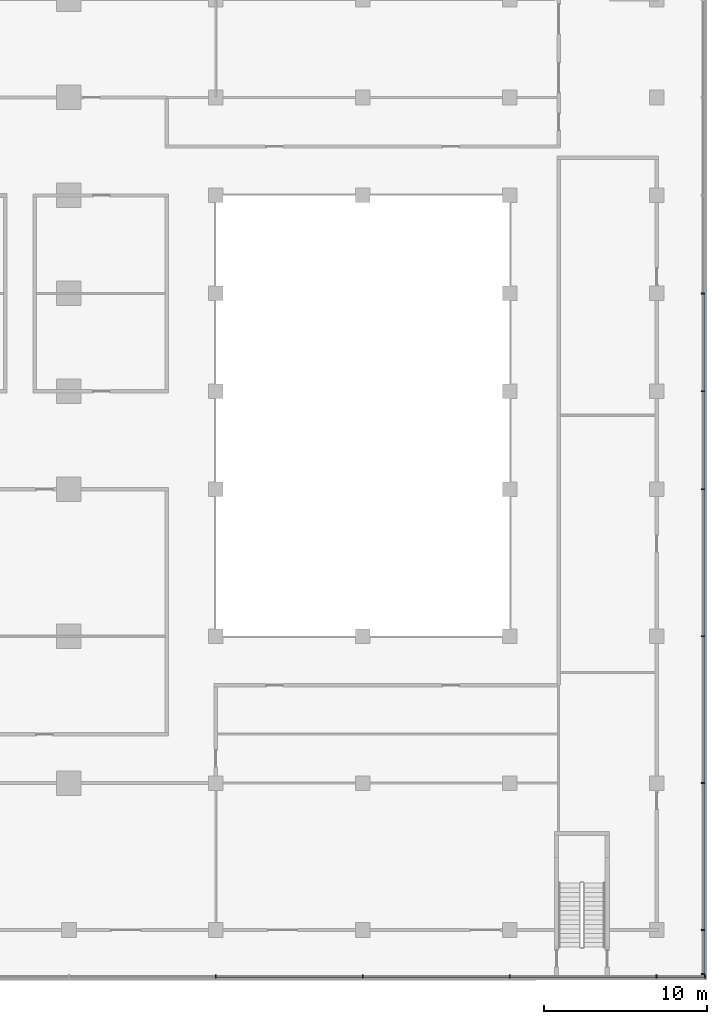
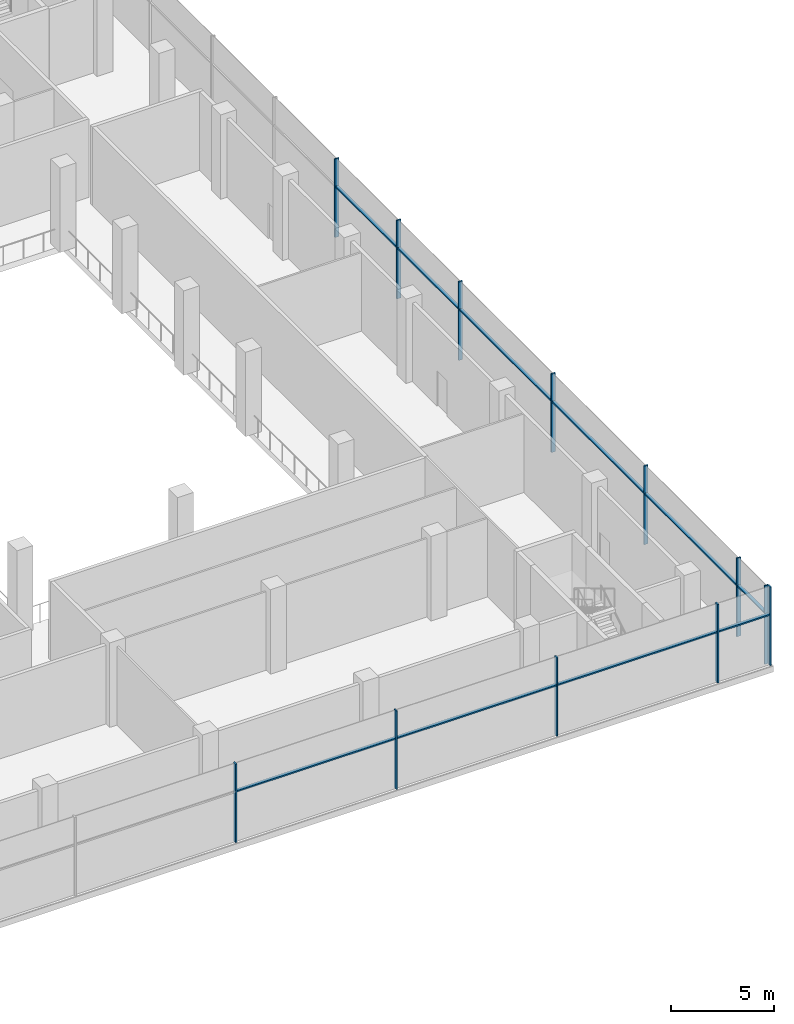
# One storey, part 5 of 22: 22 members, 2 elements without a shape of their own.
"""IFC4 building model written with IfcOpenShell, lengths in metres."""

from ifc_helpers import new_model, si_unit, direction, frame, origin, origin_2d, place, context, subcontext, project, spatial, rectangle, extrude, material, material_profile, profile_set, type_object, element, aggregate, save


model = new_model("IFC4")

# Units and contexts
model_context = context("Model", 3, precision=1e-05, world=origin(), true_north=direction((0.0, 1.0)))
body_context = subcontext(model_context, "Body", "Model", "MODEL_VIEW")
ifc_project = project(units=[si_unit("LENGTHUNIT", "METRE"), si_unit("AREAUNIT", "SQUARE_METRE"), si_unit("VOLUMEUNIT", "CUBIC_METRE"), si_unit("PLANEANGLEUNIT", "RADIAN"), si_unit("MASSUNIT", "GRAM", prefix="KILO")], contexts=[model_context])

# Site, building, storey
site_placement = place(None, origin())
site = spatial("IfcSite", under=ifc_project, at=site_placement, CompositionType="ELEMENT")
building_placement = place(site_placement, origin())
building = spatial("IfcBuilding", under=site, at=building_placement, Name="Finial Court Residences", CompositionType="ELEMENT")
storey_placement = place(building_placement, frame((0.0, 0.0, 18.5)))
storey = spatial("IfcBuildingStorey", under=building, at=storey_placement, Name="L03", CompositionType="ELEMENT", Elevation=18.5)

# Curtain wall, members
ifc_material = material(Name="Bronze anodised aluminium", Category="aluminium")
curtain_wall_type = type_object("IfcCurtainWallType", Name="Podium curtain wall", PredefinedType="NOTDEFINED", material=ifc_material)
curtain_wall_1_placement = place(storey_placement, origin())
curtain_wall_1 = element("IfcCurtainWall", 1, at=curtain_wall_1_placement, inside=storey, type_object=curtain_wall_type, Name="E-L03-CW-E2", PredefinedType="NOTDEFINED")
ifc_material_profile_1 = material_profile(ifc_material, rectangle(XDim=0.22509765625, YDim=0.080078125, at=origin_2d()), Name="CW5 mullion 80 x 225")
ifc_profile_set_1 = profile_set([ifc_material_profile_1], Name="Bronze anodised aluminium")
member_type_1 = type_object("IfcMemberType", Name="CW5 mullion 80 x 225", PredefinedType="MULLION", material=ifc_profile_set_1)
member_1_placement = place(storey_placement, frame((61.35009765625, -34.197509765625, 0.0), z_axis=(0.0, 0.0, 1.0), x_axis=(-1.0, 0.0, 0.0)))
member_1 = element("IfcMember", 2, at=member_1_placement, type_object=member_type_1, Name="CW5 mullion 1", PredefinedType="MULLION", context=body_context, shape_type="SweptSolid", body=[
    extrude(rectangle(XDim=0.22509765625, YDim=0.080078125, at=origin_2d()), origin(), (0.0, 0.0, 1.0), 4.64990234375),
])
member_2_placement = place(storey_placement, frame((61.35009765625, -31.5, 0.0), z_axis=(0.0, 0.0, 1.0), x_axis=(-1.0, 0.0, 0.0)))
member_2 = element("IfcMember", 3, at=member_2_placement, type_object=member_type_1, Name="CW5 mullion 2", PredefinedType="MULLION", context=body_context, shape_type="SweptSolid", body=[
    extrude(rectangle(XDim=0.22509765625, YDim=0.080078125, at=origin_2d()), origin(), (0.0, 0.0, 1.0), 4.64990234375),
])
member_3_placement = place(storey_placement, frame((61.35009765625, -22.5, 0.0), z_axis=(0.0, 0.0, 1.0), x_axis=(-1.0, 0.0, 0.0)))
member_3 = element("IfcMember", 4, at=member_3_placement, type_object=member_type_1, Name="CW5 mullion 3", PredefinedType="MULLION", context=body_context, shape_type="SweptSolid", body=[
    extrude(rectangle(XDim=0.22509765625, YDim=0.080078125, at=origin_2d()), origin(), (0.0, 0.0, 1.0), 4.64990234375),
])
member_4_placement = place(storey_placement, frame((61.35009765625, -13.5, 0.0), z_axis=(0.0, 0.0, 1.0), x_axis=(-1.0, 0.0, 0.0)))
member_4 = element("IfcMember", 5, at=member_4_placement, type_object=member_type_1, Name="CW5 mullion 4", PredefinedType="MULLION", context=body_context, shape_type="SweptSolid", body=[
    extrude(rectangle(XDim=0.22509765625, YDim=0.080078125, at=origin_2d()), origin(), (0.0, 0.0, 1.0), 4.64990234375),
])
member_5_placement = place(storey_placement, frame((61.35009765625, -4.5, 0.0), z_axis=(0.0, 0.0, 1.0), x_axis=(-1.0, 0.0, 0.0)))
member_5 = element("IfcMember", 6, at=member_5_placement, type_object=member_type_1, Name="CW5 mullion 5", PredefinedType="MULLION", context=body_context, shape_type="SweptSolid", body=[
    extrude(rectangle(XDim=0.22509765625, YDim=0.080078125, at=origin_2d()), origin(), (0.0, 0.0, 1.0), 4.64990234375),
])
member_6_placement = place(storey_placement, frame((61.35009765625, 1.5, 0.0), z_axis=(0.0, 0.0, 1.0), x_axis=(-1.0, 0.0, 0.0)))
member_6 = element("IfcMember", 7, at=member_6_placement, type_object=member_type_1, Name="CW5 mullion 6", PredefinedType="MULLION", context=body_context, shape_type="SweptSolid", body=[
    extrude(rectangle(XDim=0.22509765625, YDim=0.080078125, at=origin_2d()), origin(), (0.0, 0.0, 1.0), 4.64990234375),
])
member_7_placement = place(storey_placement, frame((61.35009765625, 7.5, 0.0), z_axis=(0.0, 0.0, 1.0), x_axis=(-1.0, 0.0, 0.0)))
member_7 = element("IfcMember", 8, at=member_7_placement, type_object=member_type_1, Name="CW5 mullion 7", PredefinedType="MULLION", context=body_context, shape_type="SweptSolid", body=[
    extrude(rectangle(XDim=0.22509765625, YDim=0.080078125, at=origin_2d()), origin(), (0.0, 0.0, 1.0), 4.64990234375),
])

curtain_wall_2_placement = place(storey_placement, origin())
curtain_wall_2 = element("IfcCurtainWall", 9, at=curtain_wall_2_placement, inside=storey, type_object=curtain_wall_type, Name="E-L03-CW-S3", PredefinedType="NOTDEFINED")
member_8_placement = place(storey_placement, frame((31.5, -34.35009765625, 0.0), z_axis=(0.0, 0.0, 1.0), x_axis=(0.0, 1.0, 0.0)))
member_8 = element("IfcMember", 10, at=member_8_placement, type_object=member_type_1, Name="CW5 mullion 11", PredefinedType="MULLION", context=body_context, shape_type="SweptSolid", body=[
    extrude(rectangle(XDim=0.22509765625, YDim=0.080078125, at=origin_2d()), origin(), (0.0, 0.0, 1.0), 4.64990234375),
])
member_9_placement = place(storey_placement, frame((40.5, -34.35009765625, 0.0), z_axis=(0.0, 0.0, 1.0), x_axis=(0.0, 1.0, 0.0)))
member_9 = element("IfcMember", 11, at=member_9_placement, type_object=member_type_1, Name="CW5 mullion 12", PredefinedType="MULLION", context=body_context, shape_type="SweptSolid", body=[
    extrude(rectangle(XDim=0.22509765625, YDim=0.080078125, at=origin_2d()), origin(), (0.0, 0.0, 1.0), 4.64990234375),
])
member_10_placement = place(storey_placement, frame((49.5, -34.35009765625, 0.0), z_axis=(0.0, 0.0, 1.0), x_axis=(0.0, 1.0, 0.0)))
member_10 = element("IfcMember", 12, at=member_10_placement, type_object=member_type_1, Name="CW5 mullion 13", PredefinedType="MULLION", context=body_context, shape_type="SweptSolid", body=[
    extrude(rectangle(XDim=0.22509765625, YDim=0.080078125, at=origin_2d()), origin(), (0.0, 0.0, 1.0), 4.64990234375),
])
member_11_placement = place(storey_placement, frame((58.5, -34.35009765625, 0.0), z_axis=(0.0, 0.0, 1.0), x_axis=(0.0, 1.0, 0.0)))
member_11 = element("IfcMember", 13, at=member_11_placement, type_object=member_type_1, Name="CW5 mullion 14", PredefinedType="MULLION", context=body_context, shape_type="SweptSolid", body=[
    extrude(rectangle(XDim=0.22509765625, YDim=0.080078125, at=origin_2d()), origin(), (0.0, 0.0, 1.0), 4.64990234375),
])
member_12_placement = place(storey_placement, frame((61.4599609375, -34.35009765625, 0.0), z_axis=(0.0, 0.0, 1.0), x_axis=(0.0, 1.0, 0.0)))
member_12 = element("IfcMember", 14, at=member_12_placement, type_object=member_type_1, Name="CW5 mullion 15", PredefinedType="MULLION", context=body_context, shape_type="SweptSolid", body=[
    extrude(rectangle(XDim=0.22509765625, YDim=0.080078125, at=origin_2d()), origin(), (0.0, 0.0, 1.0), 4.64990234375),
])

# Member
ifc_material_profile_2 = material_profile(ifc_material, rectangle(XDim=0.175048828125, YDim=0.080078125, at=origin_2d()), Name="CW5 transom 80 x 175")
ifc_profile_set_2 = profile_set([ifc_material_profile_2], Name="Bronze anodised aluminium")
member_type_2 = type_object("IfcMemberType", Name="CW5 transom 80 x 175", PredefinedType="USERDEFINED", material=ifc_profile_set_2)
member_13_placement = place(storey_placement, frame((61.35009765625, -34.157470703125, 3.0), z_axis=(0.0, 1.0, 0.0), x_axis=(-1.0, 0.0, 0.0)))
member_13 = element("IfcMember", 15, at=member_13_placement, type_object=member_type_2, Name="CW5 transom 1.1", ObjectType="TRANSOM", PredefinedType="USERDEFINED", context=body_context, shape_type="SweptSolid", body=[
    extrude(rectangle(XDim=0.175048828125, YDim=0.080078125, at=origin_2d()), origin(), (0.0, 0.0, 1.0), 2.617431640625),
])

member_14_placement = place(storey_placement, frame((61.35009765625, -31.4599609375, 3.0), z_axis=(0.0, 1.0, 0.0), x_axis=(-1.0, 0.0, 0.0)))
member_14 = element("IfcMember", 16, at=member_14_placement, type_object=member_type_2, Name="CW5 transom 2.1", ObjectType="TRANSOM", PredefinedType="USERDEFINED", context=body_context, shape_type="SweptSolid", body=[
    extrude(rectangle(XDim=0.175048828125, YDim=0.080078125, at=origin_2d()), origin(), (0.0, 0.0, 1.0), 8.919921875),
])

member_15_placement = place(storey_placement, frame((61.35009765625, -22.4599609375, 3.0), z_axis=(0.0, 1.0, 0.0), x_axis=(-1.0, 0.0, 0.0)))
member_15 = element("IfcMember", 17, at=member_15_placement, type_object=member_type_2, Name="CW5 transom 3.1", ObjectType="TRANSOM", PredefinedType="USERDEFINED", context=body_context, shape_type="SweptSolid", body=[
    extrude(rectangle(XDim=0.175048828125, YDim=0.080078125, at=origin_2d()), origin(), (0.0, 0.0, 1.0), 8.919921875),
])

member_16_placement = place(storey_placement, frame((61.35009765625, -13.4599609375, 3.0), z_axis=(0.0, 1.0, 0.0), x_axis=(-1.0, 0.0, 0.0)))
member_16 = element("IfcMember", 18, at=member_16_placement, type_object=member_type_2, Name="CW5 transom 4.1", ObjectType="TRANSOM", PredefinedType="USERDEFINED", context=body_context, shape_type="SweptSolid", body=[
    extrude(rectangle(XDim=0.175048828125, YDim=0.080078125, at=origin_2d()), origin(), (0.0, 0.0, 1.0), 8.919921875),
])

member_17_placement = place(storey_placement, frame((61.35009765625, -4.4599609375, 3.0), z_axis=(0.0, 1.0, 0.0), x_axis=(-1.0, 0.0, 0.0)))
member_17 = element("IfcMember", 19, at=member_17_placement, type_object=member_type_2, Name="CW5 transom 5.1", ObjectType="TRANSOM", PredefinedType="USERDEFINED", context=body_context, shape_type="SweptSolid", body=[
    extrude(rectangle(XDim=0.175048828125, YDim=0.080078125, at=origin_2d()), origin(), (0.0, 0.0, 1.0), 5.919921875),
])

member_18_placement = place(storey_placement, frame((61.35009765625, 1.5400390625, 3.0), z_axis=(0.0, 1.0, 0.0), x_axis=(-1.0, 0.0, 0.0)))
member_18 = element("IfcMember", 20, at=member_18_placement, type_object=member_type_2, Name="CW5 transom 6.1", ObjectType="TRANSOM", PredefinedType="USERDEFINED", context=body_context, shape_type="SweptSolid", body=[
    extrude(rectangle(XDim=0.175048828125, YDim=0.080078125, at=origin_2d()), origin(), (0.0, 0.0, 1.0), 5.919921875),
])

aggregate(curtain_wall_1, [member_1, member_2, member_3, member_4, member_5, member_6, member_7, member_13, member_14, member_15, member_16, member_17, member_18])

member_19_placement = place(storey_placement, frame((31.5400390625, -34.35009765625, 3.0), z_axis=(1.0, 0.0, 0.0), x_axis=(0.0, 1.0, 0.0)))
member_19 = element("IfcMember", 21, at=member_19_placement, type_object=member_type_2, Name="CW5 transom 11.1", ObjectType="TRANSOM", PredefinedType="USERDEFINED", context=body_context, shape_type="SweptSolid", body=[
    extrude(rectangle(XDim=0.175048828125, YDim=0.080078125, at=origin_2d()), origin(), (0.0, 0.0, 1.0), 8.919921875),
])

member_20_placement = place(storey_placement, frame((40.5400390625, -34.35009765625, 3.0), z_axis=(1.0, 0.0, 0.0), x_axis=(0.0, 1.0, 0.0)))
member_20 = element("IfcMember", 22, at=member_20_placement, type_object=member_type_2, Name="CW5 transom 12.1", ObjectType="TRANSOM", PredefinedType="USERDEFINED", context=body_context, shape_type="SweptSolid", body=[
    extrude(rectangle(XDim=0.175048828125, YDim=0.080078125, at=origin_2d()), origin(), (0.0, 0.0, 1.0), 8.919921875),
])

member_21_placement = place(storey_placement, frame((49.5400390625, -34.35009765625, 3.0), z_axis=(1.0, 0.0, 0.0), x_axis=(0.0, 1.0, 0.0)))
member_21 = element("IfcMember", 23, at=member_21_placement, type_object=member_type_2, Name="CW5 transom 13.1", ObjectType="TRANSOM", PredefinedType="USERDEFINED", context=body_context, shape_type="SweptSolid", body=[
    extrude(rectangle(XDim=0.175048828125, YDim=0.080078125, at=origin_2d()), origin(), (0.0, 0.0, 1.0), 8.919921875),
])

member_22_placement = place(storey_placement, frame((58.5400390625, -34.35009765625, 3.0), z_axis=(1.0, 0.0, 0.0), x_axis=(0.0, 1.0, 0.0)))
member_22 = element("IfcMember", 24, at=member_22_placement, type_object=member_type_2, Name="CW5 transom 14.1", ObjectType="TRANSOM", PredefinedType="USERDEFINED", context=body_context, shape_type="SweptSolid", body=[
    extrude(rectangle(XDim=0.175048828125, YDim=0.080078125, at=origin_2d()), origin(), (0.0, 0.0, 1.0), 2.8798828125),
])

aggregate(curtain_wall_2, [member_8, member_9, member_10, member_11, member_12, member_19, member_20, member_21, member_22])

save(model, "model.ifc")
